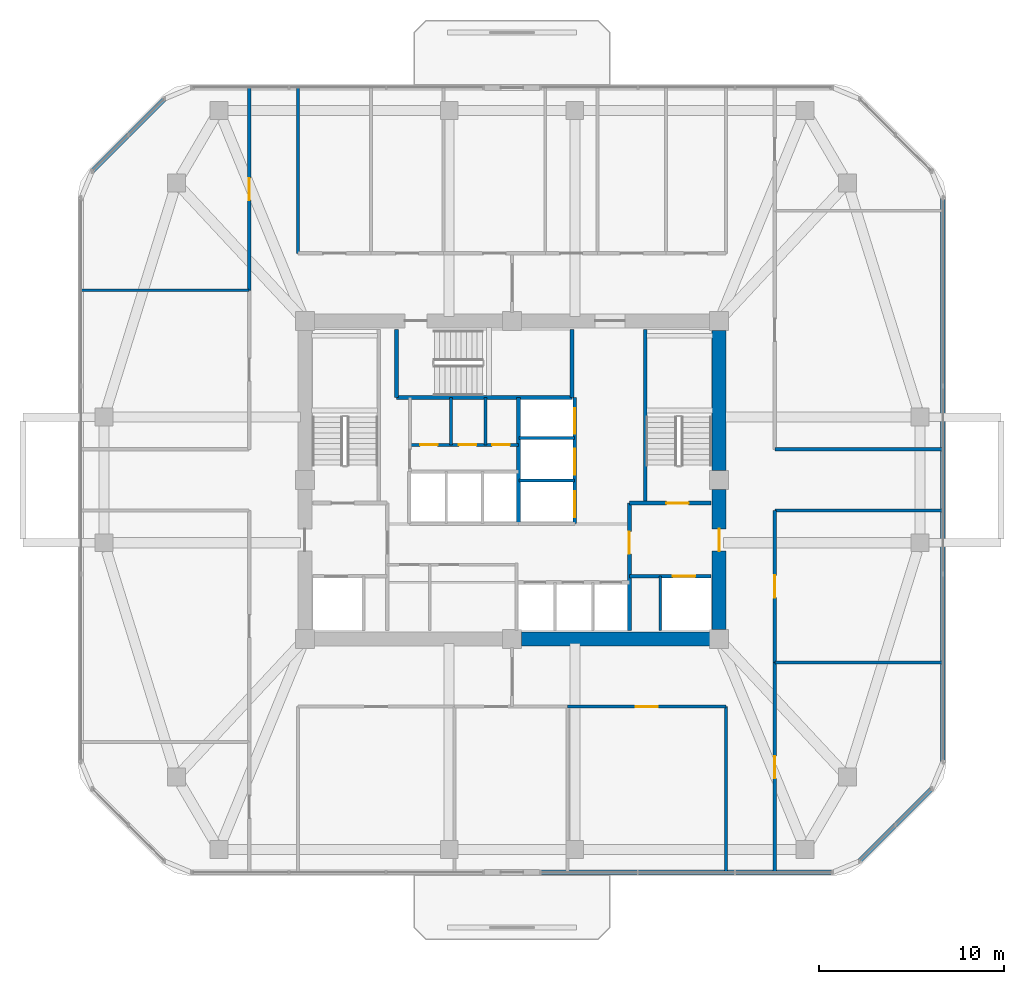
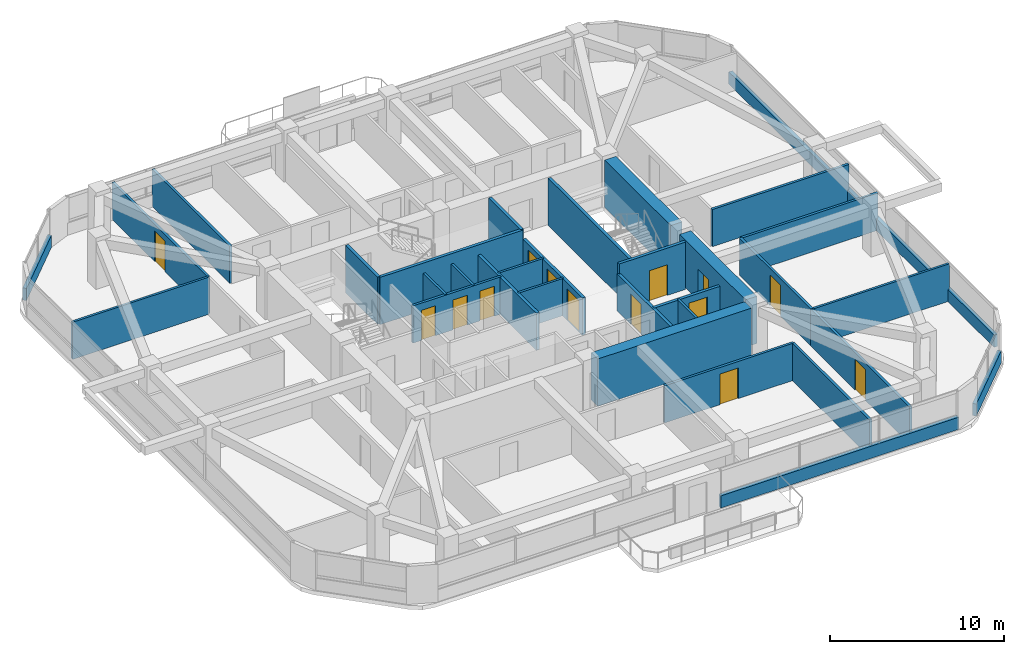
# One storey, part 8 of 12: 32 walls, 14 doors, 14 openings.
"""IFC4 building model written with IfcOpenShell, lengths in metres."""

from ifc_helpers import new_model, si_unit, derived_unit, direction, frame, frame_2d, origin, place, context, subcontext, project, spatial, rectangle, extrude, material, layer, layer_set, type_object, element, fill, save


model = new_model("IFC4")

# Units and contexts
model_context = context("Model", 3, precision=1e-05, world=origin(), true_north=direction((0.0, 1.0)))
body_context = subcontext(model_context, "Body", "Model", "MODEL_VIEW")
ifc_project = project(units=[si_unit("LENGTHUNIT", "METRE"), si_unit("AREAUNIT", "SQUARE_METRE"), si_unit("VOLUMEUNIT", "CUBIC_METRE"), si_unit("PLANEANGLEUNIT", "RADIAN"), si_unit("MASSUNIT", "GRAM", prefix="KILO"), derived_unit("THERMALTRANSMITTANCEUNIT", [(si_unit("POWERUNIT", "WATT"), 1), (si_unit("LENGTHUNIT", "METRE"), -2), (si_unit("THERMODYNAMICTEMPERATUREUNIT", "KELVIN"), -1)])], contexts=[model_context])

# Site, building, storey
site_placement = place(None, origin())
site = spatial("IfcSite", under=ifc_project, at=site_placement, CompositionType="ELEMENT")
building_placement = place(site_placement, origin())
building = spatial("IfcBuilding", under=site, at=building_placement, Name="Koralith Skygarden Medical Center", CompositionType="ELEMENT")
storey_placement = place(building_placement, frame((0.0, 0.0, 152.820068359375)))
storey = spatial("IfcBuildingStorey", under=building, at=storey_placement, Name="L39", CompositionType="ELEMENT", Elevation=152.820068359375)

# Walls
ifc_material_1 = material(Name="Gypsum Board Partition")
ifc_layer_1 = layer(ifc_material_1, 0.14990234375)
ifc_layer_set_1 = layer_set([ifc_layer_1], Name="Gypsum Board Partition")
wall_type_1 = type_object("IfcWallType", Name="Clinical Acoustic Partition 150", PredefinedType="PARTITIONING", material=ifc_layer_set_1)
for number, where, z_axis, x_axis, name in (
    (1, (33.699951171875, 27.800048828125, 0.0), (0.0, 0.0, 1.0), (0.0, 1.0, 0.0), "L39 Clinical Acoustic Partition 150 W-CORE-L39-FLEX-V2A"),
    (2, (35.56005859375, 27.800048828125, 0.0), (0.0, 0.0, 1.0), (0.0, 1.0, 0.0), "L39 Clinical Acoustic Partition 150 W-CORE-L39-FLEX-V2B"),
):
    element("IfcWall", number, at=place(storey_placement, frame(where, z_axis=z_axis, x_axis=x_axis)), inside=storey, type_object=wall_type_1, Name=name, PredefinedType="PARTITIONING", context=body_context, shape_type="SweptSolid", body=[
        extrude(rectangle(XDim=2.56005859375, YDim=0.14990234375, at=frame_2d((1.280029296875, 0.0))), origin(), (0.0, 0.0, 1.0), 2.60986328125),
    ])
for number, where, z_axis, x_axis, name in (
    (3, (22.7900390625, 36.157958984375, 0.0), (0.0, 0.0, 1.0), (-1.0, 0.0, 0.0), "L39 Clinical Acoustic Partition 150 W-PART-L39-WN-01"),
    (4, (51.2099609375, 16.032958984375, 0.0), (0.0, 0.0, 1.0), (1.0, 0.0, 0.0), "L39 Clinical Acoustic Partition 150 W-PART-L39-ES-01"),
):
    element("IfcWall", number, at=place(storey_placement, frame(where, z_axis=z_axis, x_axis=x_axis)), inside=storey, type_object=wall_type_1, Name=name, PredefinedType="PARTITIONING", context=body_context, shape_type="SweptSolid", body=[
        extrude(rectangle(XDim=9.073974609375, YDim=0.14990234375, at=frame_2d((4.537109375, 0.0))), origin(), (0.0, 0.0, 1.0), 2.60986328125),
    ])
ifc_layer_2 = layer(ifc_material_1, 0.1650390625)
ifc_layer_set_2 = layer_set([ifc_layer_2], Name="Gypsum Board Partition")
wall_type_2 = type_object("IfcWallType", Name="Clinical Corridor Partition 165", PredefinedType="PARTITIONING", material=ifc_layer_set_2)
wall_1_placement = place(storey_placement, frame((25.429931640625, 38.159912109375, 0.0), z_axis=(0.0, 0.0, 1.0), x_axis=(0.0, 1.0, 0.0)))
element("IfcWall", 5, at=wall_1_placement, inside=storey, type_object=wall_type_2, Name="L39 Clinical Corridor Partition 165 W-HCOR-L39-NW", PredefinedType="PARTITIONING", context=body_context, shape_type="SweptSolid", body=[
    extrude(rectangle(XDim=8.940185546875, YDim=0.1650390625, at=frame_2d((4.47021484375, 0.0))), origin(), (0.0, 0.0, 1.0), 2.60986328125),
])
wall_2_placement = place(storey_placement, frame((48.570068359375, 4.699951171875, 0.0), z_axis=(0.0, 0.0, 1.0), x_axis=(0.0, 1.0, 0.0)))
element("IfcWall", 6, at=wall_2_placement, inside=storey, type_object=wall_type_2, Name="L39 Clinical Corridor Partition 165 W-HCOR-L39-SE", PredefinedType="PARTITIONING", context=body_context, shape_type="SweptSolid", body=[
    extrude(rectangle(XDim=8.93994140625, YDim=0.1650390625, at=frame_2d((4.469970703125, 0.0))), origin(), (0.0, 0.0, 1.0), 2.60986328125),
])
for number, where, z_axis, x_axis, name in (
    (7, (51.2099609375, 24.239990234375, 0.0), (0.0, 0.0, 1.0), (1.0, 0.0, 0.0), "L39 Clinical Corridor Partition 165 W-HCOR-L39-EWS-E"),
    (8, (51.2099609375, 27.56005859375, 0.0), (0.0, 0.0, 1.0), (1.0, 0.0, 0.0), "L39 Clinical Corridor Partition 165 W-HCOR-L39-EWN-E"),
):
    element("IfcWall", number, at=place(storey_placement, frame(where, z_axis=z_axis, x_axis=x_axis)), inside=storey, type_object=wall_type_2, Name=name, PredefinedType="PARTITIONING", context=body_context, shape_type="SweptSolid", body=[
        extrude(rectangle(XDim=9.073974609375, YDim=0.1650390625, at=frame_2d((4.537109375, 0.0))), origin(), (0.0, 0.0, 1.0), 2.60986328125),
    ])

# Wall, opening, door
wall_3_placement = place(storey_placement, frame((40.006103515625, 13.639892578125, 0.0), z_axis=(0.0, 0.0, 1.0), x_axis=(1.0, 0.0, 0.0)))
wall_3 = element("IfcWall", 9, at=wall_3_placement, inside=storey, type_object=wall_type_2, Name="L39 Clinical Corridor Partition 165 W-CORR-L39-S-03", PredefinedType="PARTITIONING", context=body_context, shape_type="SweptSolid", body=[
    extrude(rectangle(XDim=8.56396484375, YDim=0.1650390625, at=frame_2d((4.281982421875, 0.0))), origin(), (0.0, 0.0, 1.0), 2.60986328125),
])
opening_1_placement = place(wall_3_placement, frame((3.681884765625, 0.0, 0.0)))
opening_1 = element("IfcOpeningElement", 10, at=opening_1_placement, cuts=wall_3, Name="Opening D-CLN", PredefinedType="OPENING", context=body_context, shape_type="SweptSolid", body=[
    extrude(rectangle(XDim=1.199951171875, YDim=2.14990234375, at=frame_2d((0.60009765625, 1.074951171875))), frame((0.0, 0.092529296875, 0.0), z_axis=(0.0, -1.0, 0.0), x_axis=(1.0, 0.0, 0.0)), (0.0, 0.0, 1.0), 0.18505859375),
])
ifc_material_2 = material(Name="Aluminium 6063-T6", Category="aluminium")
door_type_1 = type_object("IfcDoorType", Name="Clinical Corridor Door D-CLN 1200", OperationType="NOTDEFINED", PredefinedType="DOOR", material=ifc_material_2)
door_1_placement = place(opening_1_placement, frame((1.199951171875, 0.0, 0.0), z_axis=(0.0, 0.0, 1.0), x_axis=(-1.0, 0.0, 0.0)))
door_1 = element("IfcDoor", 11, at=door_1_placement, inside=storey, type_object=door_type_1, Name="L39 Renal Dietetics Classroom 09 Door", OperationType="SINGLE_SWING_RIGHT", OverallHeight=2.14990234375, OverallWidth=1.199951171875, PredefinedType="DOOR", context=body_context, shape_type="SweptSolid", body=[
    extrude(rectangle(XDim=1.199951171875, YDim=2.14990234375, at=frame_2d((0.60009765625, 1.074951171875))), frame((0.0, 0.02490234375, 0.0), z_axis=(0.0, -1.0, 0.0), x_axis=(1.0, 0.0, 0.0)), (0.0, 0.0, 1.0), 0.050048828125),
])
fill(opening_1, door_1)

wall_4_placement = place(storey_placement, frame((22.7900390625, 36.157958984375, 0.0), z_axis=(0.0, 0.0, 1.0), x_axis=(0.0, 1.0, 0.0)))
wall_4 = element("IfcWall", 12, at=wall_4_placement, inside=storey, type_object=wall_type_2, Name="L39 Clinical Corridor Partition 165 W-CORR-L39-WN-02", PredefinedType="PARTITIONING", context=body_context, shape_type="SweptSolid", body=[
    extrude(rectangle(XDim=10.942138671875, YDim=0.1650390625, at=frame_2d((5.47119140625, 0.0))), origin(), (0.0, 0.0, 1.0), 2.60986328125),
])
opening_2_placement = place(wall_4_placement, frame((4.87109375, 0.0, 0.0)))
opening_2 = element("IfcOpeningElement", 13, at=opening_2_placement, cuts=wall_4, Name="Opening D-CLN", PredefinedType="OPENING", context=body_context, shape_type="SweptSolid", body=[
    extrude(rectangle(XDim=1.199951171875, YDim=2.14990234375, at=frame_2d((0.60009765625, 1.074951171875))), frame((0.0, 0.092529296875, 0.0), z_axis=(0.0, -1.0, 0.0), x_axis=(1.0, 0.0, 0.0)), (0.0, 0.0, 1.0), 0.18505859375),
])
door_2_placement = place(opening_2_placement, frame((1.199951171875, 0.0, 0.0), z_axis=(0.0, 0.0, 1.0), x_axis=(-1.0, 0.0, 0.0)))
door_2 = element("IfcDoor", 14, at=door_2_placement, inside=storey, type_object=door_type_1, Name="L39 Renal Dietetics Classroom 13 Door", OperationType="SINGLE_SWING_RIGHT", OverallHeight=2.14990234375, OverallWidth=1.199951171875, PredefinedType="DOOR", context=body_context, shape_type="SweptSolid", body=[
    extrude(rectangle(XDim=1.199951171875, YDim=2.14990234375, at=frame_2d((0.60009765625, 1.074951171875))), frame((0.0, 0.02490234375, 0.0), z_axis=(0.0, -1.0, 0.0), x_axis=(1.0, 0.0, 0.0)), (0.0, 0.0, 1.0), 0.050048828125),
])
fill(opening_2, door_2)

wall_5_placement = place(storey_placement, frame((51.2099609375, 4.699951171875, 0.0), z_axis=(0.0, 0.0, 1.0), x_axis=(0.0, 1.0, 0.0)))
wall_5 = element("IfcWall", 15, at=wall_5_placement, inside=storey, type_object=wall_type_2, Name="L39 Clinical Corridor Partition 165 W-CORR-L39-ES-01", PredefinedType="PARTITIONING", context=body_context, shape_type="SweptSolid", body=[
    extrude(rectangle(XDim=11.3330078125, YDim=0.1650390625, at=frame_2d((5.66650390625, 0.0))), origin(), (0.0, 0.0, 1.0), 2.60986328125),
])
opening_3_placement = place(wall_5_placement, frame((5.06689453125, 0.0, 0.0)))
opening_3 = element("IfcOpeningElement", 16, at=opening_3_placement, cuts=wall_5, Name="Opening D-CLN", PredefinedType="OPENING", context=body_context, shape_type="SweptSolid", body=[
    extrude(rectangle(XDim=1.199951171875, YDim=2.14990234375, at=frame_2d((0.60009765625, 1.074951171875))), frame((0.0, 0.092529296875, 0.0), z_axis=(0.0, -1.0, 0.0), x_axis=(1.0, 0.0, 0.0)), (0.0, 0.0, 1.0), 0.18505859375),
])
door_3_placement = place(opening_3_placement, origin())
door_3 = element("IfcDoor", 17, at=door_3_placement, inside=storey, type_object=door_type_1, Name="L39 Clinical Consultation Office 14 Door", OperationType="SINGLE_SWING_LEFT", OverallHeight=2.14990234375, OverallWidth=1.199951171875, PredefinedType="DOOR", context=body_context, shape_type="SweptSolid", body=[
    extrude(rectangle(XDim=1.199951171875, YDim=2.14990234375, at=frame_2d((0.60009765625, 1.074951171875))), frame((0.0, 0.02490234375, 0.0), z_axis=(0.0, -1.0, 0.0), x_axis=(1.0, 0.0, 0.0)), (0.0, 0.0, 1.0), 0.050048828125),
])
fill(opening_3, door_3)

wall_6_placement = place(storey_placement, frame((51.2099609375, 16.032958984375, 0.0), z_axis=(0.0, 0.0, 1.0), x_axis=(0.0, 1.0, 0.0)))
wall_6 = element("IfcWall", 18, at=wall_6_placement, inside=storey, type_object=wall_type_2, Name="L39 Clinical Corridor Partition 165 W-CORR-L39-ES-02", PredefinedType="PARTITIONING", context=body_context, shape_type="SweptSolid", body=[
    extrude(rectangle(XDim=8.20703125, YDim=0.1650390625, at=frame_2d((4.103515625, 0.0))), origin(), (0.0, 0.0, 1.0), 2.60986328125),
])
opening_4_placement = place(wall_6_placement, frame((3.5029296875, 0.0, 0.0)))
opening_4 = element("IfcOpeningElement", 19, at=opening_4_placement, cuts=wall_6, Name="Opening D-CLN", PredefinedType="OPENING", context=body_context, shape_type="SweptSolid", body=[
    extrude(rectangle(XDim=1.199951171875, YDim=2.14990234375, at=frame_2d((0.60009765625, 1.074951171875))), frame((0.0, 0.092529296875, 0.0), z_axis=(0.0, -1.0, 0.0), x_axis=(1.0, 0.0, 0.0)), (0.0, 0.0, 1.0), 0.18505859375),
])
door_4_placement = place(opening_4_placement, origin())
door_4 = element("IfcDoor", 20, at=door_4_placement, inside=storey, type_object=door_type_1, Name="L39 Renal Mobility Exercise Hall 15 Door", OperationType="SINGLE_SWING_RIGHT", OverallHeight=2.14990234375, OverallWidth=1.199951171875, PredefinedType="DOOR", context=body_context, shape_type="SweptSolid", body=[
    extrude(rectangle(XDim=1.199951171875, YDim=2.14990234375, at=frame_2d((0.60009765625, 1.074951171875))), frame((0.0, 0.02490234375, 0.0), z_axis=(0.0, -1.0, 0.0), x_axis=(1.0, 0.0, 0.0)), (0.0, 0.0, 1.0), 0.050048828125),
])
fill(opening_4, door_4)

ifc_layer_3 = layer(ifc_material_1, 0.199951171875)
ifc_layer_set_3 = layer_set([ifc_layer_3], Name="Gypsum Board Partition")
wall_type_3 = type_object("IfcWallType", Name="Fire Shaft Wall 200", PredefinedType="SOLIDWALL", material=ifc_layer_set_3)
wall_7_placement = place(storey_placement, frame((43.35009765625, 20.699951171875, 0.0), z_axis=(0.0, 0.0, 1.0), x_axis=(1.0, 0.0, 0.0)))
wall_7 = element("IfcWall", 21, at=wall_7_placement, inside=storey, type_object=wall_type_3, Name="L39 Fire Shaft Wall 200 W-CORE-L39-FF2-N", PredefinedType="SOLIDWALL", context=body_context, shape_type="SweptSolid", body=[
    extrude(rectangle(XDim=4.39990234375, YDim=0.199951171875, at=frame_2d((2.199951171875, 0.0))), origin(), (0.0, 0.0, 1.0), 2.60986328125),
])
opening_5_placement = place(wall_7_placement, frame((2.35009765625, 0.0, 0.0)))
opening_5 = element("IfcOpeningElement", 22, at=opening_5_placement, cuts=wall_7, Name="Opening LD-FF", PredefinedType="OPENING", context=body_context, shape_type="SweptSolid", body=[
    extrude(rectangle(XDim=1.199951171875, YDim=2.14990234375, at=frame_2d((0.60009765625, 1.074951171875))), frame((0.0, 0.10986328125, 0.0), z_axis=(0.0, -1.0, 0.0), x_axis=(1.0, 0.0, 0.0)), (0.0, 0.0, 1.0), 0.219970703125),
])
ifc_material_3 = material(Name="Steel ASTM A500 Grade C", Category="steel")
door_type_2 = type_object("IfcDoorType", Name="Fire Lift Sliding Landing Door LD-FF 1200", OperationType="NOTDEFINED", PredefinedType="DOOR", material=ifc_material_3)
door_5_placement = place(opening_5_placement, origin())
door_5 = element("IfcDoor", 23, at=door_5_placement, inside=storey, type_object=door_type_2, Name="L39 Fire Service Elevator FF2 Landing Door", OperationType="SLIDING_TO_RIGHT", OverallHeight=2.14990234375, OverallWidth=1.199951171875, PredefinedType="DOOR", context=body_context, shape_type="SweptSolid", body=[
    extrude(rectangle(XDim=1.199951171875, YDim=2.14990234375, at=frame_2d((0.60009765625, 1.074951171875))), frame((0.0, 0.02490234375, 0.0), z_axis=(0.0, -1.0, 0.0), x_axis=(1.0, 0.0, 0.0)), (0.0, 0.0, 1.0), 0.050048828125),
])
fill(opening_5, door_5)

wall_8_placement = place(storey_placement, frame((43.35009765625, 17.75, 0.0), z_axis=(0.0, 0.0, 1.0), x_axis=(0.0, 1.0, 0.0)))
wall_8 = element("IfcWall", 24, at=wall_8_placement, inside=storey, type_object=wall_type_3, Name="L39 Fire Shaft Wall 200 W-CORE-L39-FSAEE-W", PredefinedType="SOLIDWALL", context=body_context, shape_type="SweptSolid", body=[
    extrude(rectangle(XDim=6.89990234375, YDim=0.199951171875, at=frame_2d((3.449951171875, 0.0))), origin(), (0.0, 0.0, 1.0), 2.60986328125),
])
opening_6_placement = place(wall_8_placement, frame((4.14990234375, 0.0, 0.0)))
opening_6 = element("IfcOpeningElement", 25, at=opening_6_placement, cuts=wall_8, Name="Opening D-ST60", PredefinedType="OPENING", context=body_context, shape_type="SweptSolid", body=[
    extrude(rectangle(XDim=1.199951171875, YDim=2.14990234375, at=frame_2d((0.60009765625, 1.074951171875))), frame((0.0, 0.10986328125, 0.0), z_axis=(0.0, -1.0, 0.0), x_axis=(1.0, 0.0, 0.0)), (0.0, 0.0, 1.0), 0.219970703125),
])
door_type_3 = type_object("IfcDoorType", Name="Smokeproof Stair Fire Door FD60S 1200", OperationType="NOTDEFINED", PredefinedType="DOOR", material=ifc_material_3)
door_6_placement = place(opening_6_placement, frame((1.199951171875, 0.0, 0.0), z_axis=(0.0, 0.0, 1.0), x_axis=(-1.0, 0.0, 0.0)))
door_6 = element("IfcDoor", 26, at=door_6_placement, inside=storey, type_object=door_type_3, Name="L39 East Firefighting Lobby Inner Fire Door", OperationType="SINGLE_SWING_RIGHT", OverallHeight=2.14990234375, OverallWidth=1.199951171875, PredefinedType="DOOR", context=body_context, shape_type="SweptSolid", body=[
    extrude(rectangle(XDim=1.199951171875, YDim=2.14990234375, at=frame_2d((0.60009765625, 1.074951171875))), frame((0.0, 0.02490234375, 0.0), z_axis=(0.0, -1.0, 0.0), x_axis=(1.0, 0.0, 0.0)), (0.0, 0.0, 1.0), 0.050048828125),
])
fill(opening_6, door_6)

# Wall
wall_9_placement = place(storey_placement, frame((37.35009765625, 23.5400390625, 0.0), z_axis=(0.0, 0.0, 1.0), x_axis=(0.0, 1.0, 0.0)))
element("IfcWall", 27, at=wall_9_placement, inside=storey, type_object=wall_type_3, Name="L39 Fire Shaft Wall 200 W-CORE-L39-SV-W", PredefinedType="SOLIDWALL", context=body_context, shape_type="SweptSolid", body=[
    extrude(rectangle(XDim=6.820068359375, YDim=0.199951171875, at=frame_2d((3.41015625, 0.0))), origin(), (0.0, 0.0, 1.0), 2.60986328125),
])

# Wall, openings, doors
wall_10_placement = place(storey_placement, frame((40.39990234375, 23.5400390625, 0.0), z_axis=(0.0, 0.0, 1.0), x_axis=(0.0, 1.0, 0.0)))
wall_10 = element("IfcWall", 28, at=wall_10_placement, inside=storey, type_object=wall_type_3, Name="L39 Fire Shaft Wall 200 W-CORE-L39-SV-E", PredefinedType="SOLIDWALL", context=body_context, shape_type="SweptSolid", body=[
    extrude(rectangle(XDim=6.820068359375, YDim=0.199951171875, at=frame_2d((3.41015625, 0.0))), origin(), (0.0, 0.0, 1.0), 2.60986328125),
])
opening_7_placement = place(wall_10_placement, frame((0.35009765625, 0.0, 0.0)))
opening_7 = element("IfcOpeningElement", 29, at=opening_7_placement, cuts=wall_10, Name="Opening LD-SV", PredefinedType="OPENING", context=body_context, shape_type="SweptSolid", body=[
    extrude(rectangle(XDim=1.39990234375, YDim=2.199951171875, at=frame_2d((0.699951171875, 1.10009765625))), frame((0.0, 0.10986328125, 0.0), z_axis=(0.0, -1.0, 0.0), x_axis=(1.0, 0.0, 0.0)), (0.0, 0.0, 1.0), 0.219970703125),
])
opening_8_placement = place(wall_10_placement, frame((2.64990234375, 0.0, 0.0)))
opening_8 = element("IfcOpeningElement", 30, at=opening_8_placement, cuts=wall_10, Name="Opening LD-SV", PredefinedType="OPENING", context=body_context, shape_type="SweptSolid", body=[
    extrude(rectangle(XDim=1.39990234375, YDim=2.199951171875, at=frame_2d((0.699951171875, 1.10009765625))), frame((0.0, 0.10986328125, 0.0), z_axis=(0.0, -1.0, 0.0), x_axis=(1.0, 0.0, 0.0)), (0.0, 0.0, 1.0), 0.219970703125),
])
opening_9_placement = place(wall_10_placement, frame((4.85009765625, 0.0, 0.0)))
opening_9 = element("IfcOpeningElement", 31, at=opening_9_placement, cuts=wall_10, Name="Opening LD-SV", PredefinedType="OPENING", context=body_context, shape_type="SweptSolid", body=[
    extrude(rectangle(XDim=1.39990234375, YDim=2.199951171875, at=frame_2d((0.699951171875, 1.10009765625))), frame((0.0, 0.10986328125, 0.0), z_axis=(0.0, -1.0, 0.0), x_axis=(1.0, 0.0, 0.0)), (0.0, 0.0, 1.0), 0.219970703125),
])
door_type_4 = type_object("IfcDoorType", Name="Bed Lift Sliding Landing Door LD-SV 1400", OperationType="NOTDEFINED", PredefinedType="DOOR", material=ifc_material_3)
door_7_placement = place(opening_7_placement, origin())
door_7 = element("IfcDoor", 32, at=door_7_placement, inside=storey, type_object=door_type_4, Name="L39 Bed Elevator BD1 Landing Door", OperationType="SLIDING_TO_LEFT", OverallHeight=2.199951171875, OverallWidth=1.39990234375, PredefinedType="DOOR", context=body_context, shape_type="SweptSolid", body=[
    extrude(rectangle(XDim=1.39990234375, YDim=2.199951171875, at=frame_2d((0.699951171875, 1.10009765625))), frame((0.0, 0.02490234375, 0.0), z_axis=(0.0, -1.0, 0.0), x_axis=(1.0, 0.0, 0.0)), (0.0, 0.0, 1.0), 0.050048828125),
])
fill(opening_7, door_7)
door_8_placement = place(opening_8_placement, origin())
door_8 = element("IfcDoor", 33, at=door_8_placement, inside=storey, type_object=door_type_4, Name="L39 Service Elevator BD2 Landing Door", OperationType="SLIDING_TO_LEFT", OverallHeight=2.199951171875, OverallWidth=1.39990234375, PredefinedType="DOOR", context=body_context, shape_type="SweptSolid", body=[
    extrude(rectangle(XDim=1.39990234375, YDim=2.199951171875, at=frame_2d((0.699951171875, 1.10009765625))), frame((0.0, 0.02490234375, 0.0), z_axis=(0.0, -1.0, 0.0), x_axis=(1.0, 0.0, 0.0)), (0.0, 0.0, 1.0), 0.050048828125),
])
fill(opening_8, door_8)
door_9_placement = place(opening_9_placement, origin())
door_9 = element("IfcDoor", 34, at=door_9_placement, inside=storey, type_object=door_type_4, Name="L39 Trauma Elevator TR1 Landing Door", OperationType="SLIDING_TO_RIGHT", OverallHeight=2.199951171875, OverallWidth=1.39990234375, PredefinedType="DOOR", context=body_context, shape_type="SweptSolid", body=[
    extrude(rectangle(XDim=1.39990234375, YDim=2.199951171875, at=frame_2d((0.699951171875, 1.10009765625))), frame((0.0, 0.02490234375, 0.0), z_axis=(0.0, -1.0, 0.0), x_axis=(1.0, 0.0, 0.0)), (0.0, 0.0, 1.0), 0.050048828125),
])
fill(opening_9, door_9)

# Walls
ifc_material_4 = material(Name="Warm Oolitic Limestone Cladding", Category="masonry")
ifc_layer_4 = layer(ifc_material_4, 0.239990234375)
ifc_layer_set_4 = layer_set([ifc_layer_4], Name="Warm Oolitic Limestone Cladding")
wall_type_4 = type_object("IfcWallType", Name="Limestone Spandrel Sill Backup Wall 240", PredefinedType="SOLIDWALL", material=ifc_layer_set_4)
wall_11_placement = place(storey_placement, frame((38.5390625, 4.679931640625, 0.0), z_axis=(0.0, 0.0, 1.0), x_axis=(1.0, 0.0, 0.0)))
element("IfcWall", 35, at=wall_11_placement, inside=storey, type_object=wall_type_4, Name="L39 Sill Spandrel S-R", PredefinedType="SOLIDWALL", context=body_context, shape_type="SweptSolid", body=[
    extrude(rectangle(XDim=15.7900390625, YDim=0.239990234375, at=frame_2d((7.89501953125, 0.0))), origin(), (0.0, 0.0, 1.0), 0.849853515625),
])
wall_12_placement = place(storey_placement, frame((55.780029296875, 5.281005859375, 0.0), z_axis=(0.0, 0.0, 1.0), x_axis=(0.707084777957, 0.707128783731, 0.0)))
element("IfcWall", 36, at=wall_12_placement, inside=storey, type_object=wall_type_4, Name="L39 Sill Spandrel SE", PredefinedType="SOLIDWALL", context=body_context, shape_type="SweptSolid", body=[
    extrude(rectangle(XDim=5.5478515625, YDim=0.239990234375, at=frame_2d((2.77392578125, 0.0))), origin(), (0.0, 0.0, 1.0), 0.849853515625),
])
wall_13_placement = place(storey_placement, frame((60.303955078125, 10.655029296875, 0.0), z_axis=(0.0, 0.0, 1.0), x_axis=(0.0, 1.0, 0.0)))
element("IfcWall", 37, at=wall_13_placement, inside=storey, type_object=wall_type_4, Name="L39 Sill Spandrel E", PredefinedType="SOLIDWALL", context=body_context, shape_type="SweptSolid", body=[
    extrude(rectangle(XDim=30.489990234375, YDim=0.239990234375, at=frame_2d((15.2451171875, 0.0))), origin(), (0.0, 0.0, 1.0), 0.849853515625),
])
wall_14_placement = place(storey_placement, frame((18.219970703125, 46.51904296875, 0.0), z_axis=(0.0, 0.0, 1.0), x_axis=(-0.707084777957, -0.707128783731, 0.0)))
element("IfcWall", 38, at=wall_14_placement, inside=storey, type_object=wall_type_4, Name="L39 Sill Spandrel NW", PredefinedType="SOLIDWALL", context=body_context, shape_type="SweptSolid", body=[
    extrude(rectangle(XDim=5.5478515625, YDim=0.239990234375, at=frame_2d((2.77392578125, 0.0))), origin(), (0.0, 0.0, 1.0), 0.849853515625),
])
ifc_material_5 = material(Name="Concrete C70/85", Category="concrete")
ifc_layer_5 = layer(ifc_material_5, 0.75)
ifc_layer_set_5 = layer_set([ifc_layer_5], Name="Concrete C70/85")
wall_type_5 = type_object("IfcWallType", Name="Mid Core Shear Wall 750", PredefinedType="SHEAR", material=ifc_layer_set_5)
wall_15_placement = place(storey_placement, frame((37.5048828125, 17.300048828125, 0.0), z_axis=(0.0, 0.0, 1.0), x_axis=(1.0, 0.0, 0.0)))
element("IfcWall", 39, at=wall_15_placement, inside=storey, type_object=wall_type_5, Name="L39 Core Shear Wall Segment 2", PredefinedType="SHEAR", context=body_context, shape_type="SweptSolid", body=[
    extrude(rectangle(XDim=10.190185546875, YDim=0.75, at=frame_2d((5.09521484375, 0.0))), origin(), (0.0, 0.0, 1.0), 3.31982421875),
])

# Wall, opening, door
wall_16_placement = place(storey_placement, frame((48.199951171875, 17.804931640625, 0.0), z_axis=(0.0, 0.0, 1.0), x_axis=(0.0, 1.0, 0.0)))
wall_16 = element("IfcWall", 40, at=wall_16_placement, inside=storey, type_object=wall_type_5, Name="L39 Core Shear Wall Segment 3", PredefinedType="SHEAR", context=body_context, shape_type="SweptSolid", body=[
    extrude(rectangle(XDim=7.590087890625, YDim=0.75, at=frame_2d((3.794921875, 0.0))), origin(), (0.0, 0.0, 1.0), 3.31982421875),
])
opening_10_placement = place(wall_16_placement, frame((4.2451171875, 0.0, 0.0)))
opening_10 = element("IfcOpeningElement", 41, at=opening_10_placement, cuts=wall_16, Name="Opening D-ST60", PredefinedType="OPENING", context=body_context, shape_type="SweptSolid", body=[
    extrude(rectangle(XDim=1.199951171875, YDim=2.14990234375, at=frame_2d((0.60009765625, 1.074951171875))), frame((0.0, 0.385009765625, 0.0), z_axis=(0.0, -1.0, 0.0), x_axis=(1.0, 0.0, 0.0)), (0.0, 0.0, 1.0), 0.77001953125),
])
door_10_placement = place(opening_10_placement, frame((1.199951171875, 0.0, 0.0), z_axis=(0.0, 0.0, 1.0), x_axis=(-1.0, 0.0, 0.0)))
door_10 = element("IfcDoor", 42, at=door_10_placement, inside=storey, type_object=door_type_3, Name="L39 East Corridor to Firefighting Lobby Door", OperationType="SINGLE_SWING_RIGHT", OverallHeight=2.14990234375, OverallWidth=1.199951171875, PredefinedType="DOOR", context=body_context, shape_type="SweptSolid", body=[
    extrude(rectangle(XDim=1.199951171875, YDim=2.14990234375, at=frame_2d((0.60009765625, 1.074951171875))), frame((0.0, 0.02490234375, 0.0), z_axis=(0.0, -1.0, 0.0), x_axis=(1.0, 0.0, 0.0)), (0.0, 0.0, 1.0), 0.050048828125),
])
fill(opening_10, door_10)

# Wall
wall_17_placement = place(storey_placement, frame((48.199951171875, 26.405029296875, 0.0), z_axis=(0.0, 0.0, 1.0), x_axis=(0.0, 1.0, 0.0)))
element("IfcWall", 43, at=wall_17_placement, inside=storey, type_object=wall_type_5, Name="L39 Core Shear Wall Segment 4", PredefinedType="SHEAR", context=body_context, shape_type="SweptSolid", body=[
    extrude(rectangle(XDim=7.590087890625, YDim=0.75, at=frame_2d((3.794921875, 0.0))), origin(), (0.0, 0.0, 1.0), 3.31982421875),
])

# Wall, openings, doors
ifc_layer_6 = layer(ifc_material_1, 0.1650390625)
ifc_layer_set_6 = layer_set([ifc_layer_6], Name="Gypsum Board Partition")
wall_type_6 = type_object("IfcWallType", Name="Plumbing Wet Wall 165", PredefinedType="PLUMBINGWALL", material=ifc_layer_set_6)
wall_18_placement = place(storey_placement, frame((31.47998046875, 27.800048828125, 0.0), z_axis=(0.0, 0.0, 1.0), x_axis=(1.0, 0.0, 0.0)))
wall_18 = element("IfcWall", 44, at=wall_18_placement, inside=storey, type_object=wall_type_6, Name="L39 Plumbing Wet Wall 165 W-CORE-L39-FLEX-H2", PredefinedType="PLUMBINGWALL", context=body_context, shape_type="SweptSolid", body=[
    extrude(rectangle(XDim=5.8701171875, YDim=0.1650390625, at=frame_2d((2.93505859375, 0.0))), origin(), (0.0, 0.0, 1.0), 2.60986328125),
])
opening_11_placement = place(wall_18_placement, frame((0.550048828125, 0.0, 0.0)))
opening_11 = element("IfcOpeningElement", 45, at=opening_11_placement, cuts=wall_18, Name="Opening D-WC", PredefinedType="OPENING", context=body_context, shape_type="SweptSolid", body=[
    extrude(rectangle(XDim=0.949951171875, YDim=2.10009765625, at=frame_2d((0.47509765625, 1.050048828125))), frame((0.0, 0.092529296875, 0.0), z_axis=(0.0, -1.0, 0.0), x_axis=(1.0, 0.0, 0.0)), (0.0, 0.0, 1.0), 0.18505859375),
])
opening_12_placement = place(wall_18_placement, frame((2.64990234375, 0.0, 0.0)))
opening_12 = element("IfcOpeningElement", 46, at=opening_12_placement, cuts=wall_18, Name="Opening D-WC", PredefinedType="OPENING", context=body_context, shape_type="SweptSolid", body=[
    extrude(rectangle(XDim=0.949951171875, YDim=2.10009765625, at=frame_2d((0.47509765625, 1.050048828125))), frame((0.0, 0.092529296875, 0.0), z_axis=(0.0, -1.0, 0.0), x_axis=(1.0, 0.0, 0.0)), (0.0, 0.0, 1.0), 0.18505859375),
])
opening_13_placement = place(wall_18_placement, frame((4.449951171875, 0.0, 0.0)))
opening_13 = element("IfcOpeningElement", 47, at=opening_13_placement, cuts=wall_18, Name="Opening D-WC", PredefinedType="OPENING", context=body_context, shape_type="SweptSolid", body=[
    extrude(rectangle(XDim=0.949951171875, YDim=2.10009765625, at=frame_2d((0.47509765625, 1.050048828125))), frame((0.0, 0.092529296875, 0.0), z_axis=(0.0, -1.0, 0.0), x_axis=(1.0, 0.0, 0.0)), (0.0, 0.0, 1.0), 0.18505859375),
])
door_type_5 = type_object("IfcDoorType", Name="Accessible Toilet Door D-WC 950", OperationType="NOTDEFINED", PredefinedType="DOOR", material=ifc_material_2)
door_11_placement = place(opening_11_placement, origin())
door_11 = element("IfcDoor", 48, at=door_11_placement, inside=storey, type_object=door_type_5, Name="L39 Core Accessible WC Door", OperationType="SINGLE_SWING_LEFT", OverallHeight=2.10009765625, OverallWidth=0.949951171875, PredefinedType="DOOR", context=body_context, shape_type="SweptSolid", body=[
    extrude(rectangle(XDim=0.949951171875, YDim=2.10009765625, at=frame_2d((0.47509765625, 1.050048828125))), frame((0.0, 0.02490234375, 0.0), z_axis=(0.0, -1.0, 0.0), x_axis=(1.0, 0.0, 0.0)), (0.0, 0.0, 1.0), 0.050048828125),
])
fill(opening_11, door_11)
door_12_placement = place(opening_12_placement, origin())
door_12 = element("IfcDoor", 49, at=door_12_placement, inside=storey, type_object=door_type_5, Name="L39 Soiled Sluice Door", OperationType="SINGLE_SWING_LEFT", OverallHeight=2.10009765625, OverallWidth=0.949951171875, PredefinedType="DOOR", context=body_context, shape_type="SweptSolid", body=[
    extrude(rectangle(XDim=0.949951171875, YDim=2.10009765625, at=frame_2d((0.47509765625, 1.050048828125))), frame((0.0, 0.02490234375, 0.0), z_axis=(0.0, -1.0, 0.0), x_axis=(1.0, 0.0, 0.0)), (0.0, 0.0, 1.0), 0.050048828125),
])
fill(opening_12, door_12)
door_13_placement = place(opening_13_placement, origin())
door_13 = element("IfcDoor", 50, at=door_13_placement, inside=storey, type_object=door_type_5, Name="L39 Clean Linen Store Door", OperationType="SINGLE_SWING_RIGHT", OverallHeight=2.10009765625, OverallWidth=0.949951171875, PredefinedType="DOOR", context=body_context, shape_type="SweptSolid", body=[
    extrude(rectangle(XDim=0.949951171875, YDim=2.10009765625, at=frame_2d((0.47509765625, 1.050048828125))), frame((0.0, 0.02490234375, 0.0), z_axis=(0.0, -1.0, 0.0), x_axis=(1.0, 0.0, 0.0)), (0.0, 0.0, 1.0), 0.050048828125),
])
fill(opening_13, door_13)

# Walls
ifc_layer_7 = layer(ifc_material_1, 0.14990234375)
ifc_layer_set_7 = layer_set([ifc_layer_7], Name="Gypsum Board Partition")
wall_type_7 = type_object("IfcWallType", Name="Shaft Partition Wall 150", PredefinedType="PARTITIONING", material=ifc_layer_set_7)
wall_19_placement = place(storey_placement, frame((45.02001953125, 17.75, 0.0), z_axis=(0.0, 0.0, 1.0), x_axis=(0.0, 1.0, 0.0)))
element("IfcWall", 51, at=wall_19_placement, inside=storey, type_object=wall_type_7, Name="L39 Shaft Partition Wall 150 W-CORE-L39-RSRE-DIV", PredefinedType="PARTITIONING", context=body_context, shape_type="SweptSolid", body=[
    extrude(rectangle(XDim=2.949951171875, YDim=0.14990234375, at=frame_2d((1.47509765625, 0.0))), origin(), (0.0, 0.0, 1.0), 2.60986328125),
])
for number, where, z_axis, x_axis, name in (
    (52, (37.3701171875, 25.8701171875, 0.0), (0.0, 0.0, 1.0), (1.0, 0.0, 0.0), "L39 Shaft Partition Wall 150 W-CORE-L39-SV-D1"),
    (53, (37.3701171875, 28.169921875, 0.0), (0.0, 0.0, 1.0), (1.0, 0.0, 0.0), "L39 Shaft Partition Wall 150 W-CORE-L39-SV-D2"),
):
    element("IfcWall", number, at=place(storey_placement, frame(where, z_axis=z_axis, x_axis=x_axis)), inside=storey, type_object=wall_type_7, Name=name, PredefinedType="PARTITIONING", context=body_context, shape_type="SweptSolid", body=[
        extrude(rectangle(XDim=3.009765625, YDim=0.14990234375, at=frame_2d((1.5048828125, 0.0))), origin(), (0.0, 0.0, 1.0), 2.60986328125),
    ])
ifc_material_6 = material(Name="Concrete C45/55", Category="concrete")
ifc_layer_8 = layer(ifc_material_6, 0.199951171875)
ifc_layer_set_8 = layer_set([ifc_layer_8], Name="Concrete C45/55")
wall_type_8 = type_object("IfcWallType", Name="Structural Stair Shaft Wall 200", PredefinedType="SHEAR", material=ifc_layer_set_8)
wall_20_placement = place(storey_placement, frame((44.199951171875, 24.64990234375, 0.0), z_axis=(0.0, 0.0, 1.0), x_axis=(0.0, 1.0, 0.0)))
element("IfcWall", 54, at=wall_20_placement, inside=storey, type_object=wall_type_8, Name="L39 Structural Stair Shaft Wall 200 W-CORE-L39-ST2-W", PredefinedType="SHEAR", context=body_context, shape_type="SweptSolid", body=[
    extrude(rectangle(XDim=9.400146484375, YDim=0.199951171875, at=frame_2d((4.7001953125, 0.0))), origin(), (0.0, 0.0, 1.0), 3.31982421875),
])

# Wall, opening, door
wall_21_placement = place(storey_placement, frame((43.35009765625, 24.64990234375, 0.0), z_axis=(0.0, 0.0, 1.0), x_axis=(1.0, 0.0, 0.0)))
wall_21 = element("IfcWall", 55, at=wall_21_placement, inside=storey, type_object=wall_type_8, Name="L39 Structural Stair Shaft Wall 200 W-CORE-L39-ST2-S", PredefinedType="SHEAR", context=body_context, shape_type="SweptSolid", body=[
    extrude(rectangle(XDim=4.39990234375, YDim=0.199951171875, at=frame_2d((2.199951171875, 0.0))), origin(), (0.0, 0.0, 1.0), 3.31982421875),
])
opening_14_placement = place(wall_21_placement, frame((2.0, 0.0, 0.0)))
opening_14 = element("IfcOpeningElement", 56, at=opening_14_placement, cuts=wall_21, Name="Opening D-ST60", PredefinedType="OPENING", context=body_context, shape_type="SweptSolid", body=[
    extrude(rectangle(XDim=1.199951171875, YDim=2.14990234375, at=frame_2d((0.60009765625, 1.074951171875))), frame((0.0, 0.10986328125, 0.0), z_axis=(0.0, -1.0, 0.0), x_axis=(1.0, 0.0, 0.0)), (0.0, 0.0, 1.0), 0.219970703125),
])
door_14_placement = place(opening_14_placement, origin())
door_14 = element("IfcDoor", 57, at=door_14_placement, inside=storey, type_object=door_type_3, Name="L39 Exit Stair ST2 Fire Door", OperationType="SINGLE_SWING_RIGHT", OverallHeight=2.14990234375, OverallWidth=1.199951171875, PredefinedType="DOOR", context=body_context, shape_type="SweptSolid", body=[
    extrude(rectangle(XDim=1.199951171875, YDim=2.14990234375, at=frame_2d((0.60009765625, 1.074951171875))), frame((0.0, 0.02490234375, 0.0), z_axis=(0.0, -1.0, 0.0), x_axis=(1.0, 0.0, 0.0)), (0.0, 0.0, 1.0), 0.050048828125),
])
fill(opening_14, door_14)

# Walls
wall_22_placement = place(storey_placement, frame((30.75, 30.360107421875, 0.0), z_axis=(0.0, 0.0, 1.0), x_axis=(1.0, 0.0, 0.0)))
element("IfcWall", 58, at=wall_22_placement, inside=storey, type_object=wall_type_8, Name="L39 Structural Stair Shaft Wall 200 W-CORE-L39-ST3-S", PredefinedType="SHEAR", context=body_context, shape_type="SweptSolid", body=[
    extrude(rectangle(XDim=9.5, YDim=0.199951171875, at=frame_2d((4.75, 0.0))), origin(), (0.0, 0.0, 1.0), 3.31982421875),
])
for number, where, z_axis, x_axis, name in (
    (59, (30.75, 30.360107421875, 0.0), (0.0, 0.0, 1.0), (0.0, 1.0, 0.0), "L39 Structural Stair Shaft Wall 200 W-CORE-L39-ST3-W"),
    (60, (40.25, 30.360107421875, 0.0), (0.0, 0.0, 1.0), (0.0, 1.0, 0.0), "L39 Structural Stair Shaft Wall 200 W-CORE-L39-ST3-E"),
):
    element("IfcWall", number, at=place(storey_placement, frame(where, z_axis=z_axis, x_axis=x_axis)), inside=storey, type_object=wall_type_8, Name=name, PredefinedType="SHEAR", context=body_context, shape_type="SweptSolid", body=[
        extrude(rectangle(XDim=3.68994140625, YDim=0.199951171875, at=frame_2d((1.844970703125, 0.0))), origin(), (0.0, 0.0, 1.0), 3.31982421875),
    ])

save(model, "model.ifc")
